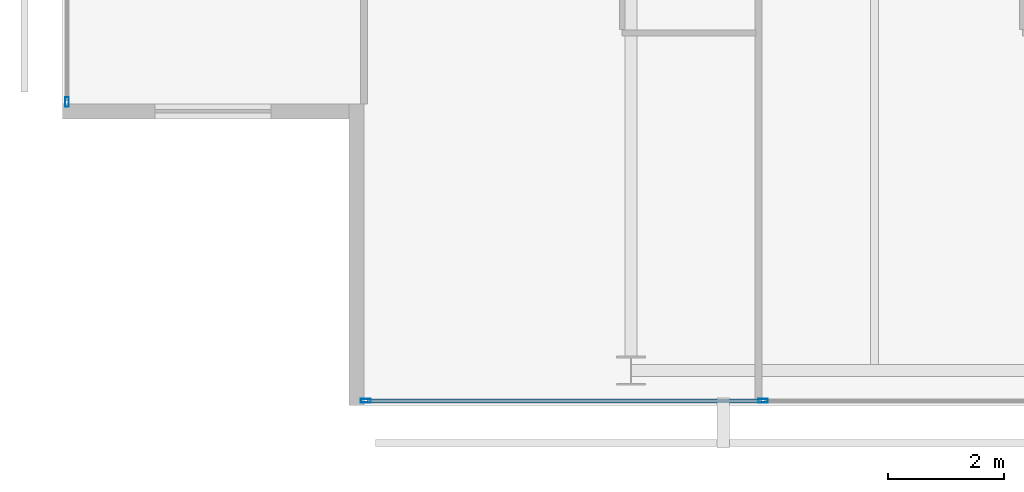
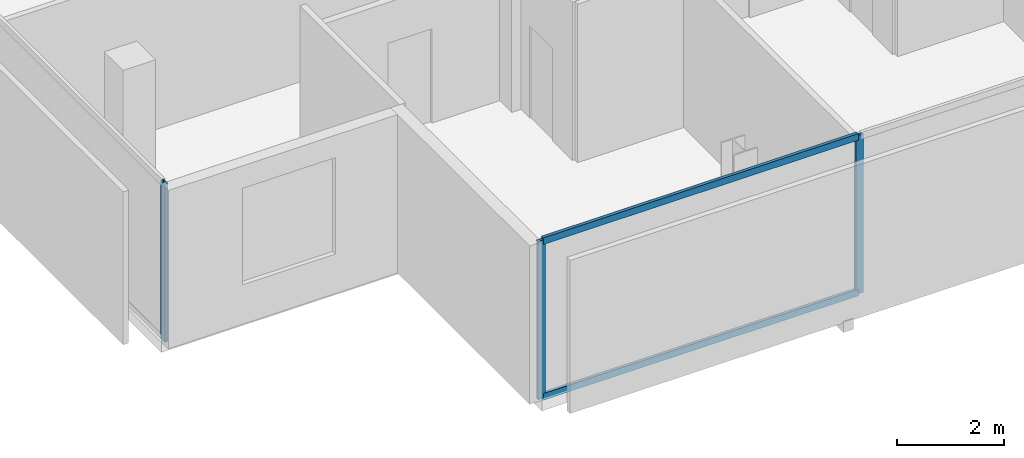
# One storey, part 2 of 25: 5 members, 2 elements without a shape of their own.
"""IFC4 building model written with IfcOpenShell, lengths in metres."""

from ifc_helpers import new_model, si_unit, direction, frame, origin, origin_2d, place, context, subcontext, project, spatial, hollow_rectangle, extrude, material, layer, layer_set, material_profile, profile_set, type_object, element, aggregate, save


model = new_model("IFC4")

# Units and contexts
model_context = context("Model", 3, precision=1e-05, world=origin(), true_north=direction((0.0, 1.0)))
body_context = subcontext(model_context, "Body", "Model", "MODEL_VIEW")
ifc_project = project(units=[si_unit("LENGTHUNIT", "METRE"), si_unit("AREAUNIT", "SQUARE_METRE"), si_unit("VOLUMEUNIT", "CUBIC_METRE"), si_unit("PLANEANGLEUNIT", "RADIAN"), si_unit("MASSUNIT", "GRAM", prefix="KILO")], contexts=[model_context])

# Site, building, storey
site_placement = place(None, origin())
site = spatial("IfcSite", under=ifc_project, at=site_placement, CompositionType="ELEMENT")
building_placement = place(site_placement, origin())
building = spatial("IfcBuilding", under=site, at=building_placement, Name="Maruvema Waterfront Hotel and Observation Tower", CompositionType="ELEMENT")
storey_placement = place(building_placement, frame((0.0, 0.0, 262.5)))
storey = spatial("IfcBuildingStorey", under=building, at=storey_placement, Name="L64", CompositionType="ELEMENT", Elevation=262.5)

# Curtain wall, members
ifc_material_1 = material(Name="Anodised bronze aluminium and solar-control low-E IGU", Category="aluminium")
ifc_layer = layer(ifc_material_1, 0.159912109375, Name="Zone 3 Champagne Inner Thermal Curtain Wall System CW-04")
ifc_layer_set = layer_set([ifc_layer], Name="Anodised bronze aluminium and solar-control low-E IGU")
curtain_wall_type = type_object("IfcCurtainWallType", Name="Zone 3 Champagne Inner Thermal Curtain Wall System CW-04", PredefinedType="USERDEFINED", material=ifc_layer_set)
curtain_wall_1_placement = place(storey_placement, origin())
curtain_wall_1 = element("IfcCurtainWall", 1, at=curtain_wall_1_placement, inside=storey, type_object=curtain_wall_type, Name="L64 Curtain Wall CW-L64-S", ObjectType="UNITISED CURTAIN WALL", PredefinedType="USERDEFINED")
ifc_material_2 = material(Name="Anodised architectural bronze aluminium", Category="aluminium")
ifc_material_profile_1 = material_profile(ifc_material_2, hollow_rectangle(XDim=0.070068359375, YDim=0.14990234375, WallThickness=0.00390625, at=origin_2d()), Name="ALU-T70x150")
ifc_profile_set_1 = profile_set([ifc_material_profile_1], Name="Anodised architectural bronze aluminium")
member_type_1 = type_object("IfcMemberType", Name="Curtain Wall Horizontal Transom ALU-T70x150", PredefinedType="USERDEFINED", material=ifc_profile_set_1)
member_1_placement = place(storey_placement, frame((20.659912109375, 9.280029296875, 0.030029296875), z_axis=(1.0, 0.0, 0.0), x_axis=(0.0, 1.0, 0.0)))
member_1 = element("IfcMember", 2, at=member_1_placement, type_object=member_type_1, Name="CW-04 transom 1.1", ObjectType="TRANSOM", PredefinedType="USERDEFINED", context=body_context, shape_type="SweptSolid", body=[
    extrude(hollow_rectangle(XDim=0.070068359375, YDim=0.14990234375, WallThickness=0.00390625, at=origin_2d()), origin(), (0.0, 0.0, 1.0), 6.7900390625),
])
member_2_placement = place(storey_placement, frame((20.659912109375, 9.280029296875, 3.580078125), z_axis=(1.0, 0.0, 0.0), x_axis=(0.0, 1.0, 0.0)))
member_2 = element("IfcMember", 3, at=member_2_placement, type_object=member_type_1, Name="CW-04 transom 1.2", ObjectType="TRANSOM", PredefinedType="USERDEFINED", context=body_context, shape_type="SweptSolid", body=[
    extrude(hollow_rectangle(XDim=0.070068359375, YDim=0.14990234375, WallThickness=0.00390625, at=origin_2d()), origin(), (0.0, 0.0, 1.0), 6.7900390625),
])
ifc_material_3 = material(Name="Anodised architectural bronze aluminium", Category="aluminium")
ifc_material_profile_2 = material_profile(ifc_material_3, hollow_rectangle(XDim=0.06494140625, YDim=0.1650390625, WallThickness=0.00390625, at=origin_2d()), Name="ALU-M65x165")
ifc_profile_set_2 = profile_set([ifc_material_profile_2], Name="Anodised architectural bronze aluminium")
member_type_2 = type_object("IfcMemberType", Name="Curtain Wall Primary Mullion ALU-M65x165", PredefinedType="MULLION", material=ifc_profile_set_2)
member_3_placement = place(storey_placement, frame((20.6298828125, 9.280029296875, 0.0), z_axis=(0.0, 0.0, 1.0), x_axis=(0.0, 1.0, 0.0)))
member_3 = element("IfcMember", 4, at=member_3_placement, type_object=member_type_2, Name="CW-04 mullion 1", PredefinedType="MULLION", context=body_context, shape_type="SweptSolid", body=[
    extrude(hollow_rectangle(XDim=0.06494140625, YDim=0.1650390625, WallThickness=0.00390625, at=origin_2d()), origin(), (0.0, 0.0, 1.0), 3.610107421875),
])
member_4_placement = place(storey_placement, frame((27.47998046875, 9.280029296875, 0.0), z_axis=(0.0, 0.0, 1.0), x_axis=(0.0, 1.0, 0.0)))
member_4 = element("IfcMember", 5, at=member_4_placement, type_object=member_type_2, Name="CW-04 mullion 2", PredefinedType="MULLION", context=body_context, shape_type="SweptSolid", body=[
    extrude(hollow_rectangle(XDim=0.06494140625, YDim=0.1650390625, WallThickness=0.00390625, at=origin_2d()), origin(), (0.0, 0.0, 1.0), 3.610107421875),
])
aggregate(curtain_wall_1, [member_3, member_4, member_1, member_2])

# Curtain wall, member
curtain_wall_2_placement = place(storey_placement, origin())
curtain_wall_2 = element("IfcCurtainWall", 6, at=curtain_wall_2_placement, inside=storey, type_object=curtain_wall_type, Name="L64 Curtain Wall CW-L64-W", ObjectType="UNITISED CURTAIN WALL", PredefinedType="USERDEFINED")
member_5_placement = place(storey_placement, frame((15.47998046875, 14.429931640625, 0.0), z_axis=(0.0, 0.0, 1.0), x_axis=(1.0, 0.0, 0.0)))
member_5 = element("IfcMember", 7, at=member_5_placement, type_object=member_type_2, Name="CW-04 mullion 6", PredefinedType="MULLION", context=body_context, shape_type="SweptSolid", body=[
    extrude(hollow_rectangle(XDim=0.06494140625, YDim=0.1650390625, WallThickness=0.00390625, at=origin_2d()), origin(), (0.0, 0.0, 1.0), 3.610107421875),
])
aggregate(curtain_wall_2, [member_5])

save(model, "model.ifc")
